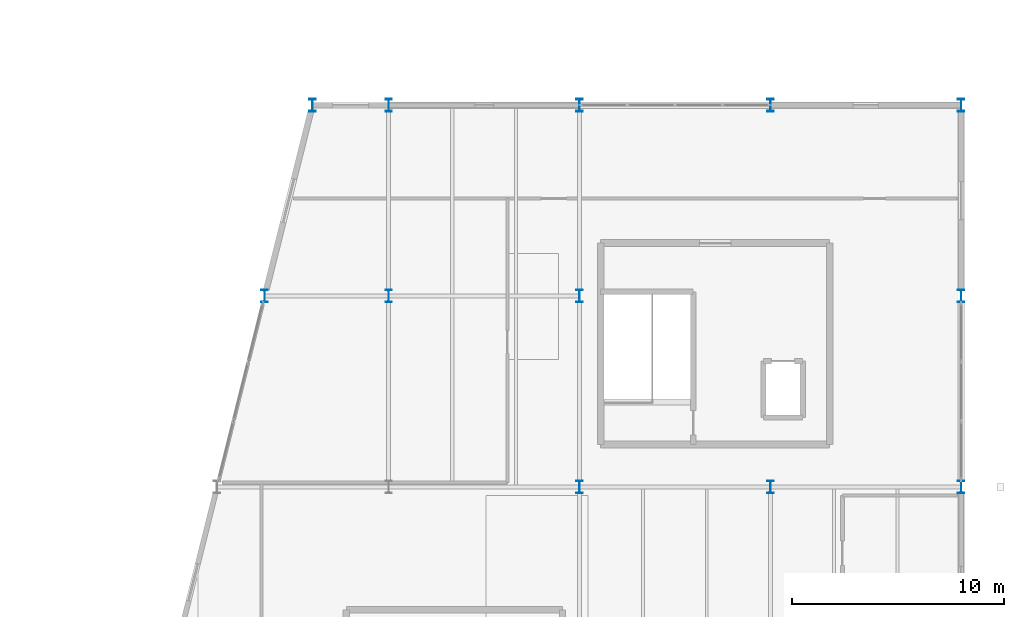
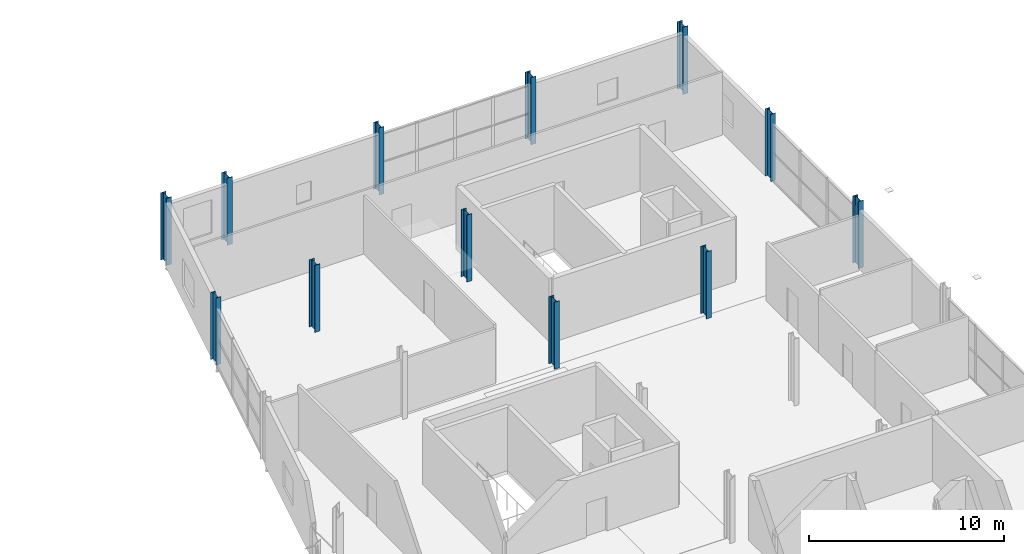
# One storey, part 2 of 44: 12 columns.
"""IFC4 building model written with IfcOpenShell, lengths in metres."""

from ifc_helpers import new_model, si_unit, direction, frame, origin, origin_2d, place, context, subcontext, project, spatial, i_section, extrude, material, material_profile, profile_set, type_object, element, save


model = new_model("IFC4")

# Units and contexts
model_context = context("Model", 3, precision=1e-05, world=origin(), true_north=direction((0.0, 1.0)))
body_context = subcontext(model_context, "Body", "Model", "MODEL_VIEW")
ifc_project = project(units=[si_unit("LENGTHUNIT", "METRE"), si_unit("AREAUNIT", "SQUARE_METRE"), si_unit("VOLUMEUNIT", "CUBIC_METRE"), si_unit("PLANEANGLEUNIT", "RADIAN"), si_unit("MASSUNIT", "GRAM", prefix="KILO")], contexts=[model_context])

# Site, building, storey
site_placement = place(None, origin())
site = spatial("IfcSite", under=ifc_project, at=site_placement, CompositionType="ELEMENT")
building_placement = place(site_placement, origin())
building = spatial("IfcBuilding", under=site, at=building_placement, Name="Deido Ridge Mobility Hub", CompositionType="ELEMENT")
storey_placement = place(building_placement, frame((0.0, 0.0, 25.199951171875)))
storey = spatial("IfcBuildingStorey", under=building, at=storey_placement, Name="L06", CompositionType="ELEMENT", Elevation=25.199951171875)

# Columns
ifc_material = material(Name="Steel S355J2 EN 10025-2", Category="steel")
ifc_material_profile = material_profile(ifc_material, i_section(OverallWidth=0.300048828125, OverallDepth=0.60009765625, WebThickness=0.015380859375, FlangeThickness=0.030029296875, FilletRadius=0.027099609375, at=origin_2d()), Name="HEB 600")
ifc_profile_set = profile_set([ifc_material_profile], Name="Steel S355J2 EN 10025-2")
column_type = type_object("IfcColumnType", Name="COL-HEB600", PredefinedType="COLUMN", material=ifc_profile_set)
for number, where, z_axis, x_axis, name in (
    (1, (162.0, 36.0, 0.0), (0.0, 0.0, 1.0), (1.0, 0.0, 0.0), "Structural column C4"),
    (2, (171.0, 36.0, 0.0), (0.0, 0.0, 1.0), (1.0, 0.0, 0.0), "Structural column C4"),
    (3, (180.0, 36.0, 0.0), (0.0, 0.0, 1.0), (1.0, 0.0, 0.0), "Structural column C4"),
    (4, (147.14990234375, 45.0, 0.0), (0.0, 0.0, 1.0), (1.0, 0.0, 0.0), "Structural column C4"),
    (5, (153.0, 45.0, 0.0), (0.0, 0.0, 1.0), (1.0, 0.0, 0.0), "Structural column C4"),
    (6, (162.0, 45.0, 0.0), (0.0, 0.0, 1.0), (1.0, 0.0, 0.0), "Structural column C4"),
    (7, (180.0, 45.0, 0.0), (0.0, 0.0, 1.0), (1.0, 0.0, 0.0), "Structural column C4"),
    (8, (149.39990234375, 54.0, 0.0), (0.0, 0.0, 1.0), (1.0, 0.0, 0.0), "Structural column C4"),
    (9, (153.0, 54.0, 0.0), (0.0, 0.0, 1.0), (1.0, 0.0, 0.0), "Structural column C4"),
    (10, (162.0, 54.0, 0.0), (0.0, 0.0, 1.0), (1.0, 0.0, 0.0), "Structural column C4"),
    (11, (171.0, 54.0, 0.0), (0.0, 0.0, 1.0), (1.0, 0.0, 0.0), "Structural column C4"),
    (12, (180.0, 54.0, 0.0), (0.0, 0.0, 1.0), (1.0, 0.0, 0.0), "Structural column C4"),
):
    element("IfcColumn", number, at=place(storey_placement, frame(where, z_axis=z_axis, x_axis=x_axis)), inside=storey, type_object=column_type, Name=name, PredefinedType="COLUMN", context=body_context, shape_type="SweptSolid", body=[
        extrude(i_section(OverallWidth=0.300048828125, OverallDepth=0.60009765625, WebThickness=0.015380859375, FlangeThickness=0.030029296875, FilletRadius=0.027099609375, at=origin_2d()), origin(), (0.0, 0.0, 1.0), 4.199951171875),
    ])

save(model, "model.ifc")
